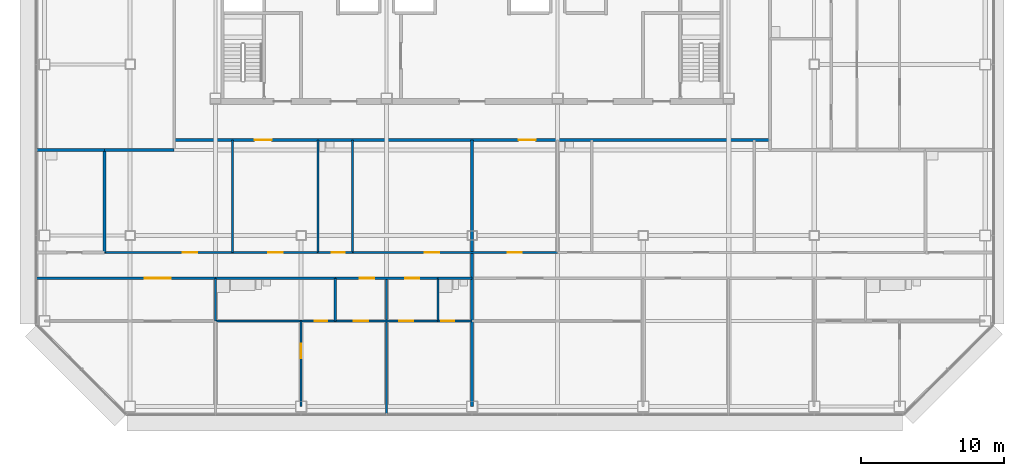
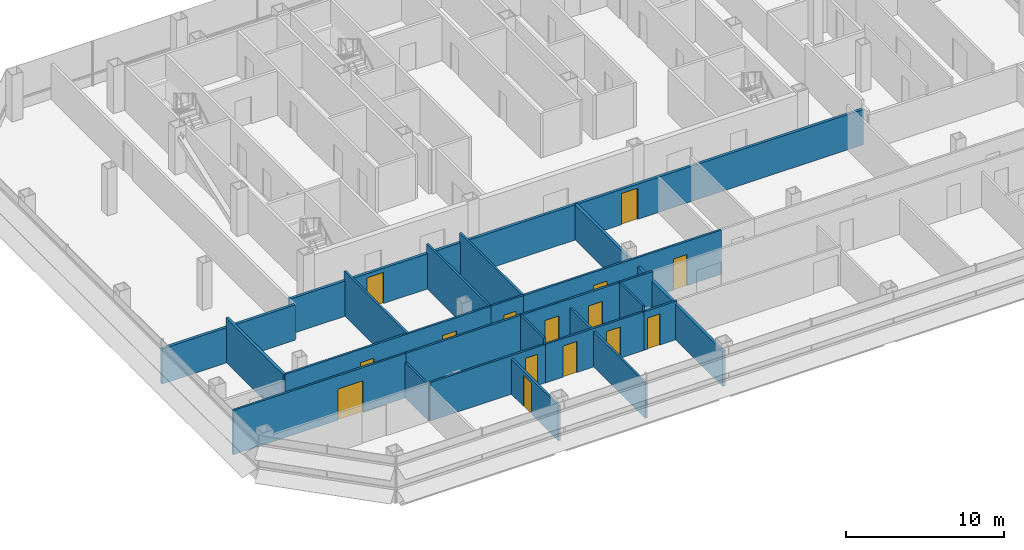
# One storey, part 19 of 25: 23 walls, 15 doors, 15 openings.
"""IFC4 building model written with IfcOpenShell, lengths in metres."""

from ifc_helpers import new_model, si_unit, direction, frame, frame_2d, origin, place, context, subcontext, project, spatial, rectangle, extrude, material, layer, layer_set, type_object, element, fill, save


model = new_model("IFC4")

# Units and contexts
model_context = context("Model", 3, precision=1e-05, world=origin(), true_north=direction((0.0, 1.0)))
body_context = subcontext(model_context, "Body", "Model", "MODEL_VIEW")
ifc_project = project(units=[si_unit("LENGTHUNIT", "METRE"), si_unit("AREAUNIT", "SQUARE_METRE"), si_unit("VOLUMEUNIT", "CUBIC_METRE"), si_unit("PLANEANGLEUNIT", "RADIAN"), si_unit("MASSUNIT", "GRAM", prefix="KILO")], contexts=[model_context])

# Site, building, storey
site_placement = place(None, origin())
site = spatial("IfcSite", under=ifc_project, at=site_placement, CompositionType="ELEMENT")
building_placement = place(site_placement, origin())
building = spatial("IfcBuilding", under=site, at=building_placement, Name="Sorahane Residences", CompositionType="ELEMENT")
storey_placement = place(building_placement, frame((0.0, 0.0, 143.800048828125)))
storey = spatial("IfcBuildingStorey", under=building, at=storey_placement, Name="L32", CompositionType="ELEMENT", Elevation=143.800048828125)

# Wall
ifc_material_1 = material(Name="Concrete blockwork C20 wall", Category="masonry")
ifc_layer_1 = layer(ifc_material_1, 0.199951171875)
ifc_layer_set_1 = layer_set([ifc_layer_1], Name="Corridor wall 200 EI 120")
wall_type_1 = type_object("IfcWallType", Name="Corridor wall 200 EI 120", PredefinedType="SOLIDWALL", material=ifc_layer_set_1)
wall_1_placement = place(storey_placement, frame((-1.800048828125, 18.0, 0.0), z_axis=(0.0, 0.0, 1.0), x_axis=(1.0, 0.0, 0.0)))
element("IfcWall", 1, at=wall_1_placement, inside=storey, type_object=wall_type_1, Name="L32 corridor wall", PredefinedType="SOLIDWALL", context=body_context, shape_type="SweptSolid", body=[
    extrude(rectangle(XDim=4.900146484375, YDim=0.199951171875, at=frame_2d((2.4501953125, 0.0))), origin(), (0.0, 0.0, 1.0), 2.719970703125),
])

# Wall, openings, doors
wall_2_placement = place(storey_placement, frame((3.10009765625, 18.699951171875, 0.0), z_axis=(0.0, 0.0, 1.0), x_axis=(1.0, 0.0, 0.0)))
wall_2 = element("IfcWall", 2, at=wall_2_placement, inside=storey, type_object=wall_type_1, Name="L32 corridor wall", PredefinedType="SOLIDWALL", context=body_context, shape_type="SweptSolid", body=[
    extrude(rectangle(XDim=41.7998046875, YDim=0.199951171875, at=frame_2d((20.89990234375, 0.0))), origin(), (0.0, 0.0, 1.0), 2.719970703125),
])
opening_1_placement = place(wall_2_placement, frame((5.639892578125, 0.0, 0.0)))
opening_1 = element("IfcOpeningElement", 3, at=opening_1_placement, cuts=wall_2, Name="Opening L32-42", PredefinedType="OPENING", context=body_context, shape_type="SweptSolid", body=[
    extrude(rectangle(XDim=1.199951171875, YDim=2.39990234375, at=frame_2d((0.60009765625, 1.199951171875))), frame((0.0, 0.10986328125, 0.0), z_axis=(0.0, -1.0, 0.0), x_axis=(1.0, 0.0, 0.0)), (0.0, 0.0, 1.0), 0.219970703125),
])
opening_2_placement = place(wall_2_placement, frame((24.159912109375, 0.0, 0.0)))
opening_2 = element("IfcOpeningElement", 4, at=opening_2_placement, cuts=wall_2, Name="Opening L32-43", PredefinedType="OPENING", context=body_context, shape_type="SweptSolid", body=[
    extrude(rectangle(XDim=1.199951171875, YDim=2.39990234375, at=frame_2d((0.60009765625, 1.199951171875))), frame((0.0, 0.10986328125, 0.0), z_axis=(0.0, -1.0, 0.0), x_axis=(1.0, 0.0, 0.0)), (0.0, 0.0, 1.0), 0.219970703125),
])
ifc_material_2 = material(Name="Timber veneered fire door", Category="wood")
door_type_1 = type_object("IfcDoorType", Name="Flat entrance door 1200x2400 FD60", OperationType="NOTDEFINED", PredefinedType="DOOR", material=ifc_material_2)
door_1_placement = place(opening_1_placement, frame((1.199951171875, 0.0, 0.0), z_axis=(0.0, 0.0, 1.0), x_axis=(-1.0, 0.0, 0.0)))
door_1 = element("IfcDoor", 5, at=door_1_placement, inside=storey, type_object=door_type_1, Name="Flat entrance door L32-42", OperationType="SINGLE_SWING_LEFT", OverallHeight=2.39990234375, OverallWidth=1.199951171875, PredefinedType="DOOR", context=body_context, shape_type="SweptSolid", body=[
    extrude(rectangle(XDim=1.199951171875, YDim=2.39990234375, at=frame_2d((0.60009765625, 1.199951171875))), frame((0.0, 0.02490234375, 0.0), z_axis=(0.0, -1.0, 0.0), x_axis=(1.0, 0.0, 0.0)), (0.0, 0.0, 1.0), 0.050048828125),
])
fill(opening_1, door_1)
door_2_placement = place(opening_2_placement, frame((1.199951171875, 0.0, 0.0), z_axis=(0.0, 0.0, 1.0), x_axis=(-1.0, 0.0, 0.0)))
door_2 = element("IfcDoor", 6, at=door_2_placement, inside=storey, type_object=door_type_1, Name="Flat entrance door L32-43", OperationType="SINGLE_SWING_RIGHT", OverallHeight=2.39990234375, OverallWidth=1.199951171875, PredefinedType="DOOR", context=body_context, shape_type="SweptSolid", body=[
    extrude(rectangle(XDim=1.199951171875, YDim=2.39990234375, at=frame_2d((0.60009765625, 1.199951171875))), frame((0.0, 0.02490234375, 0.0), z_axis=(0.0, -1.0, 0.0), x_axis=(1.0, 0.0, 0.0)), (0.0, 0.0, 1.0), 0.050048828125),
])
fill(opening_2, door_2)

# Walls
ifc_material_3 = material(Name="Concrete blockwork C20 wall", Category="masonry")
ifc_layer_2 = layer(ifc_material_3, 0.199951171875)
ifc_layer_set_2 = layer_set([ifc_layer_2], Name="Kitchen wall 200 EI 180")
wall_type_2 = type_object("IfcWallType", Name="Kitchen wall 200 EI 180", PredefinedType="SOLIDWALL", material=ifc_layer_set_2)
wall_3_placement = place(storey_placement, frame((-1.800048828125, 10.800048828125, 0.0), z_axis=(0.0, 0.0, 1.0), x_axis=(0.0, 1.0, 0.0)))
element("IfcWall", 7, at=wall_3_placement, inside=storey, type_object=wall_type_2, Name="L32 kitchen wall", PredefinedType="SOLIDWALL", context=body_context, shape_type="SweptSolid", body=[
    extrude(rectangle(XDim=7.199951171875, YDim=0.199951171875, at=frame_2d((3.60009765625, 0.0))), origin(), (0.0, 0.0, 1.0), 3.419921875),
])
wall_4_placement = place(storey_placement, frame((-6.60009765625, 18.0, 0.0), z_axis=(0.0, 0.0, 1.0), x_axis=(1.0, 0.0, 0.0)))
element("IfcWall", 8, at=wall_4_placement, inside=storey, type_object=wall_type_2, Name="L32 kitchen wall", PredefinedType="SOLIDWALL", context=body_context, shape_type="SweptSolid", body=[
    extrude(rectangle(XDim=4.800048828125, YDim=0.199951171875, at=frame_2d((2.39990234375, 0.0))), origin(), (0.0, 0.0, 1.0), 2.719970703125),
])

# Wall, opening, door
ifc_material_4 = material(Name="Gypsum board partition on steel studs", Category="steel")
ifc_layer_3 = layer(ifc_material_4, 0.14990234375)
ifc_layer_set_3 = layer_set([ifc_layer_3], Name="Partition 150 EI 90")
wall_type_3 = type_object("IfcWallType", Name="Partition 150 EI 90", PredefinedType="PARTITIONING", material=ifc_layer_set_3)
wall_5_placement = place(storey_placement, frame((12.0, 0.0, 0.0), z_axis=(0.0, 0.0, 1.0), x_axis=(0.0, 1.0, 0.0)))
wall_5 = element("IfcWall", 9, at=wall_5_placement, inside=storey, type_object=wall_type_3, Name="L32 partition", PredefinedType="PARTITIONING", context=body_context, shape_type="SweptSolid", body=[
    extrude(rectangle(XDim=6.0, YDim=0.14990234375, at=frame_2d((3.0, 0.0))), origin(), (0.0, 0.0, 1.0), 2.719970703125),
])
opening_3_placement = place(wall_5_placement, frame((3.39990234375, 0.0, 0.0)))
opening_3 = element("IfcOpeningElement", 10, at=opening_3_placement, cuts=wall_5, Name="Opening L32-11", PredefinedType="OPENING", context=body_context, shape_type="SweptSolid", body=[
    extrude(rectangle(XDim=1.0, YDim=2.39990234375, at=frame_2d((0.5, 1.199951171875))), frame((0.0, 0.0849609375, 0.0), z_axis=(0.0, -1.0, 0.0), x_axis=(1.0, 0.0, 0.0)), (0.0, 0.0, 1.0), 0.169921875),
])
ifc_material_5 = material(Name="Timber veneered fire door", Category="wood")
door_type_2 = type_object("IfcDoorType", Name="Room door 1000x2400 FD30", OperationType="NOTDEFINED", PredefinedType="DOOR", material=ifc_material_5)
door_3_placement = place(opening_3_placement, origin())
door_3 = element("IfcDoor", 11, at=door_3_placement, inside=storey, type_object=door_type_2, Name="Room door L32-11", OperationType="SINGLE_SWING_RIGHT", OverallHeight=2.39990234375, OverallWidth=1.0, PredefinedType="DOOR", context=body_context, shape_type="SweptSolid", body=[
    extrude(rectangle(XDim=1.0, YDim=2.39990234375, at=frame_2d((0.5, 1.199951171875))), frame((0.0, 0.02490234375, 0.0), z_axis=(0.0, -1.0, 0.0), x_axis=(1.0, 0.0, 0.0)), (0.0, 0.0, 1.0), 0.050048828125),
])
fill(opening_3, door_3)

# Walls
wall_6_placement = place(storey_placement, frame((18.0, -0.60009765625, 0.0), z_axis=(0.0, 0.0, 1.0), x_axis=(0.0, 1.0, 0.0)))
element("IfcWall", 12, at=wall_6_placement, inside=storey, type_object=wall_type_3, Name="L32 partition", PredefinedType="PARTITIONING", context=body_context, shape_type="SweptSolid", body=[
    extrude(rectangle(XDim=9.60009765625, YDim=0.14990234375, at=frame_2d((4.800048828125, 0.0))), origin(), (0.0, 0.0, 1.0), 2.719970703125),
])
wall_7_placement = place(storey_placement, frame((7.199951171875, 10.800048828125, 0.0), z_axis=(0.0, 0.0, 1.0), x_axis=(0.0, 1.0, 0.0)))
element("IfcWall", 13, at=wall_7_placement, inside=storey, type_object=wall_type_3, Name="L32 partition", PredefinedType="PARTITIONING", context=body_context, shape_type="SweptSolid", body=[
    extrude(rectangle(XDim=7.89990234375, YDim=0.14990234375, at=frame_2d((3.949951171875, 0.0))), origin(), (0.0, 0.0, 1.0), 3.419921875),
])

# Wall, openings, doors
wall_8_placement = place(storey_placement, frame((-1.800048828125, 10.800048828125, 0.0), z_axis=(0.0, 0.0, 1.0), x_axis=(1.0, 0.0, 0.0)))
wall_8 = element("IfcWall", 14, at=wall_8_placement, inside=storey, type_object=wall_type_3, Name="L32 partition", PredefinedType="PARTITIONING", context=body_context, shape_type="SweptSolid", body=[
    extrude(rectangle(XDim=15.0, YDim=0.14990234375, at=frame_2d((7.5, 0.0))), origin(), (0.0, 0.0, 1.0), 3.419921875),
])
opening_4_placement = place(wall_8_placement, frame((11.5, 0.0, 0.0)))
opening_4 = element("IfcOpeningElement", 15, at=opening_4_placement, cuts=wall_8, Name="Opening L32-01", PredefinedType="OPENING", context=body_context, shape_type="SweptSolid", body=[
    extrude(rectangle(XDim=1.0, YDim=2.39990234375, at=frame_2d((0.5, 1.199951171875))), frame((0.0, 0.0849609375, 0.0), z_axis=(0.0, -1.0, 0.0), x_axis=(1.0, 0.0, 0.0)), (0.0, 0.0, 1.0), 0.169921875),
])
opening_5_placement = place(wall_8_placement, frame((5.5, 0.0, 0.0)))
opening_5 = element("IfcOpeningElement", 16, at=opening_5_placement, cuts=wall_8, Name="Opening L32-03", PredefinedType="OPENING", context=body_context, shape_type="SweptSolid", body=[
    extrude(rectangle(XDim=1.0, YDim=2.39990234375, at=frame_2d((0.5, 1.199951171875))), frame((0.0, 0.0849609375, 0.0), z_axis=(0.0, -1.0, 0.0), x_axis=(1.0, 0.0, 0.0)), (0.0, 0.0, 1.0), 0.169921875),
])
door_4_placement = place(opening_4_placement, frame((1.0, 0.0, 0.0), z_axis=(0.0, 0.0, 1.0), x_axis=(-1.0, 0.0, 0.0)))
door_4 = element("IfcDoor", 17, at=door_4_placement, inside=storey, type_object=door_type_2, Name="Room door L32-01", OperationType="SINGLE_SWING_LEFT", OverallHeight=2.39990234375, OverallWidth=1.0, PredefinedType="DOOR", context=body_context, shape_type="SweptSolid", body=[
    extrude(rectangle(XDim=1.0, YDim=2.39990234375, at=frame_2d((0.5, 1.199951171875))), frame((0.0, 0.02490234375, 0.0), z_axis=(0.0, -1.0, 0.0), x_axis=(1.0, 0.0, 0.0)), (0.0, 0.0, 1.0), 0.050048828125),
])
fill(opening_4, door_4)
door_5_placement = place(opening_5_placement, origin())
door_5 = element("IfcDoor", 18, at=door_5_placement, inside=storey, type_object=door_type_2, Name="Room door L32-03", OperationType="SINGLE_SWING_RIGHT", OverallHeight=2.39990234375, OverallWidth=1.0, PredefinedType="DOOR", context=body_context, shape_type="SweptSolid", body=[
    extrude(rectangle(XDim=1.0, YDim=2.39990234375, at=frame_2d((0.5, 1.199951171875))), frame((0.0, 0.02490234375, 0.0), z_axis=(0.0, -1.0, 0.0), x_axis=(1.0, 0.0, 0.0)), (0.0, 0.0, 1.0), 0.050048828125),
])
fill(opening_5, door_5)

wall_9_placement = place(storey_placement, frame((15.60009765625, 10.800048828125, 0.0), z_axis=(0.0, 0.0, 1.0), x_axis=(1.0, 0.0, 0.0)))
wall_9 = element("IfcWall", 19, at=wall_9_placement, inside=storey, type_object=wall_type_3, Name="L32 partition", PredefinedType="PARTITIONING", context=body_context, shape_type="SweptSolid", body=[
    extrude(rectangle(XDim=14.39990234375, YDim=0.14990234375, at=frame_2d((7.199951171875, 0.0))), origin(), (0.0, 0.0, 1.0), 3.419921875),
])
opening_6_placement = place(wall_9_placement, frame((5.080078125, 0.0, 0.0)))
opening_6 = element("IfcOpeningElement", 20, at=opening_6_placement, cuts=wall_9, Name="Opening L32-05", PredefinedType="OPENING", context=body_context, shape_type="SweptSolid", body=[
    extrude(rectangle(XDim=1.0, YDim=2.39990234375, at=frame_2d((0.5, 1.199951171875))), frame((0.0, 0.0849609375, 0.0), z_axis=(0.0, -1.0, 0.0), x_axis=(1.0, 0.0, 0.0)), (0.0, 0.0, 1.0), 0.169921875),
])
opening_7_placement = place(wall_9_placement, frame((10.89990234375, 0.0, 0.0)))
opening_7 = element("IfcOpeningElement", 21, at=opening_7_placement, cuts=wall_9, Name="Opening L32-15", PredefinedType="OPENING", context=body_context, shape_type="SweptSolid", body=[
    extrude(rectangle(XDim=1.0, YDim=2.39990234375, at=frame_2d((0.5, 1.199951171875))), frame((0.0, 0.0849609375, 0.0), z_axis=(0.0, -1.0, 0.0), x_axis=(1.0, 0.0, 0.0)), (0.0, 0.0, 1.0), 0.169921875),
])
door_6_placement = place(opening_6_placement, origin())
door_6 = element("IfcDoor", 22, at=door_6_placement, inside=storey, type_object=door_type_2, Name="Room door L32-05", OperationType="SINGLE_SWING_LEFT", OverallHeight=2.39990234375, OverallWidth=1.0, PredefinedType="DOOR", context=body_context, shape_type="SweptSolid", body=[
    extrude(rectangle(XDim=1.0, YDim=2.39990234375, at=frame_2d((0.5, 1.199951171875))), frame((0.0, 0.02490234375, 0.0), z_axis=(0.0, -1.0, 0.0), x_axis=(1.0, 0.0, 0.0)), (0.0, 0.0, 1.0), 0.050048828125),
])
fill(opening_6, door_6)
door_7_placement = place(opening_7_placement, frame((1.0, 0.0, 0.0), z_axis=(0.0, 0.0, 1.0), x_axis=(-1.0, 0.0, 0.0)))
door_7 = element("IfcDoor", 23, at=door_7_placement, inside=storey, type_object=door_type_2, Name="Room door L32-15", OperationType="SINGLE_SWING_RIGHT", OverallHeight=2.39990234375, OverallWidth=1.0, PredefinedType="DOOR", context=body_context, shape_type="SweptSolid", body=[
    extrude(rectangle(XDim=1.0, YDim=2.39990234375, at=frame_2d((0.5, 1.199951171875))), frame((0.0, 0.02490234375, 0.0), z_axis=(0.0, -1.0, 0.0), x_axis=(1.0, 0.0, 0.0)), (0.0, 0.0, 1.0), 0.050048828125),
])
fill(opening_7, door_7)

wall_10_placement = place(storey_placement, frame((14.39990234375, 6.0, 0.0), z_axis=(0.0, 0.0, 1.0), x_axis=(1.0, 0.0, 0.0)))
wall_10 = element("IfcWall", 24, at=wall_10_placement, inside=storey, type_object=wall_type_3, Name="L32 partition", PredefinedType="PARTITIONING", context=body_context, shape_type="SweptSolid", body=[
    extrude(rectangle(XDim=7.2001953125, YDim=0.14990234375, at=frame_2d((3.60009765625, 0.0))), origin(), (0.0, 0.0, 1.0), 2.969970703125),
])
opening_8_placement = place(wall_10_placement, frame((1.300048828125, 0.0, 0.0)))
opening_8 = element("IfcOpeningElement", 25, at=opening_8_placement, cuts=wall_10, Name="Opening L32-10", PredefinedType="OPENING", context=body_context, shape_type="SweptSolid", body=[
    extrude(rectangle(XDim=1.0, YDim=2.39990234375, at=frame_2d((0.5, 1.199951171875))), frame((0.0, 0.0849609375, 0.0), z_axis=(0.0, -1.0, 0.0), x_axis=(1.0, 0.0, 0.0)), (0.0, 0.0, 1.0), 0.169921875),
])
opening_9_placement = place(wall_10_placement, frame((4.47998046875, 0.0, 0.0)))
opening_9 = element("IfcOpeningElement", 26, at=opening_9_placement, cuts=wall_10, Name="Opening L32-13", PredefinedType="OPENING", context=body_context, shape_type="SweptSolid", body=[
    extrude(rectangle(XDim=1.0, YDim=2.39990234375, at=frame_2d((0.5, 1.199951171875))), frame((0.0, 0.0849609375, 0.0), z_axis=(0.0, -1.0, 0.0), x_axis=(1.0, 0.0, 0.0)), (0.0, 0.0, 1.0), 0.169921875),
])
door_8_placement = place(opening_8_placement, frame((1.0, 0.0, 0.0), z_axis=(0.0, 0.0, 1.0), x_axis=(-1.0, 0.0, 0.0)))
door_8 = element("IfcDoor", 27, at=door_8_placement, inside=storey, type_object=door_type_2, Name="Room door L32-10", OperationType="SINGLE_SWING_RIGHT", OverallHeight=2.39990234375, OverallWidth=1.0, PredefinedType="DOOR", context=body_context, shape_type="SweptSolid", body=[
    extrude(rectangle(XDim=1.0, YDim=2.39990234375, at=frame_2d((0.5, 1.199951171875))), frame((0.0, 0.02490234375, 0.0), z_axis=(0.0, -1.0, 0.0), x_axis=(1.0, 0.0, 0.0)), (0.0, 0.0, 1.0), 0.050048828125),
])
fill(opening_8, door_8)
door_9_placement = place(opening_9_placement, frame((1.0, 0.0, 0.0), z_axis=(0.0, 0.0, 1.0), x_axis=(-1.0, 0.0, 0.0)))
door_9 = element("IfcDoor", 28, at=door_9_placement, inside=storey, type_object=door_type_2, Name="Room door L32-13", OperationType="SINGLE_SWING_RIGHT", OverallHeight=2.39990234375, OverallWidth=1.0, PredefinedType="DOOR", context=body_context, shape_type="SweptSolid", body=[
    extrude(rectangle(XDim=1.0, YDim=2.39990234375, at=frame_2d((0.5, 1.199951171875))), frame((0.0, 0.02490234375, 0.0), z_axis=(0.0, -1.0, 0.0), x_axis=(1.0, 0.0, 0.0)), (0.0, 0.0, 1.0), 0.050048828125),
])
fill(opening_9, door_9)

# Wall, opening, door
wall_11_placement = place(storey_placement, frame((-6.60009765625, 9.0, 0.0), z_axis=(0.0, 0.0, 1.0), x_axis=(1.0, 0.0, 0.0)))
wall_11 = element("IfcWall", 29, at=wall_11_placement, inside=storey, type_object=wall_type_3, Name="L32 partition", PredefinedType="PARTITIONING", context=body_context, shape_type="SweptSolid", body=[
    extrude(rectangle(XDim=12.60009765625, YDim=0.14990234375, at=frame_2d((6.300048828125, 0.0))), origin(), (0.0, 0.0, 1.0), 3.419921875),
])
opening_10_placement = place(wall_11_placement, frame((7.639892578125, 0.0, 0.0)))
opening_10 = element("IfcOpeningElement", 30, at=opening_10_placement, cuts=wall_11, Name="Opening L32-06", PredefinedType="OPENING", context=body_context, shape_type="SweptSolid", body=[
    extrude(rectangle(XDim=1.800048828125, YDim=2.39990234375, at=frame_2d((0.89990234375, 1.199951171875))), frame((0.0, 0.0849609375, 0.0), z_axis=(0.0, -1.0, 0.0), x_axis=(1.0, 0.0, 0.0)), (0.0, 0.0, 1.0), 0.169921875),
])
ifc_material_6 = material(Name="Timber veneered fire door", Category="wood")
door_type_3 = type_object("IfcDoorType", Name="Double door 1800x2400 FD30", OperationType="NOTDEFINED", PredefinedType="DOOR", material=ifc_material_6)
door_10_placement = place(opening_10_placement, frame((1.800048828125, 0.0, 0.0), z_axis=(0.0, 0.0, 1.0), x_axis=(-1.0, 0.0, 0.0)))
door_10 = element("IfcDoor", 31, at=door_10_placement, inside=storey, type_object=door_type_3, Name="Double door L32-06", OperationType="SINGLE_SWING_RIGHT", OverallHeight=2.39990234375, OverallWidth=1.800048828125, PredefinedType="DOOR", context=body_context, shape_type="SweptSolid", body=[
    extrude(rectangle(XDim=1.800048828125, YDim=2.39990234375, at=frame_2d((0.89990234375, 1.199951171875))), frame((0.0, 0.02490234375, 0.0), z_axis=(0.0, -1.0, 0.0), x_axis=(1.0, 0.0, 0.0)), (0.0, 0.0, 1.0), 0.050048828125),
])
fill(opening_10, door_10)

# Wall, openings, doors
wall_12_placement = place(storey_placement, frame((14.39990234375, 9.0, 0.0), z_axis=(0.0, 0.0, 1.0), x_axis=(1.0, 0.0, 0.0)))
wall_12 = element("IfcWall", 32, at=wall_12_placement, inside=storey, type_object=wall_type_3, Name="L32 partition", PredefinedType="PARTITIONING", context=body_context, shape_type="SweptSolid", body=[
    extrude(rectangle(XDim=7.2001953125, YDim=0.14990234375, at=frame_2d((3.60009765625, 0.0))), origin(), (0.0, 0.0, 1.0), 3.419921875),
])
opening_11_placement = place(wall_12_placement, frame((1.719970703125, 0.0, 0.0)))
opening_11 = element("IfcOpeningElement", 33, at=opening_11_placement, cuts=wall_12, Name="Opening L32-07", PredefinedType="OPENING", context=body_context, shape_type="SweptSolid", body=[
    extrude(rectangle(XDim=1.0, YDim=2.39990234375, at=frame_2d((0.5, 1.199951171875))), frame((0.0, 0.0849609375, 0.0), z_axis=(0.0, -1.0, 0.0), x_axis=(1.0, 0.0, 0.0)), (0.0, 0.0, 1.0), 0.169921875),
])
opening_12_placement = place(wall_12_placement, frame((4.89990234375, 0.0, 0.0)))
opening_12 = element("IfcOpeningElement", 34, at=opening_12_placement, cuts=wall_12, Name="Opening L32-08", PredefinedType="OPENING", context=body_context, shape_type="SweptSolid", body=[
    extrude(rectangle(XDim=1.0, YDim=2.39990234375, at=frame_2d((0.5, 1.199951171875))), frame((0.0, 0.0849609375, 0.0), z_axis=(0.0, -1.0, 0.0), x_axis=(1.0, 0.0, 0.0)), (0.0, 0.0, 1.0), 0.169921875),
])
door_11_placement = place(opening_11_placement, frame((1.0, 0.0, 0.0), z_axis=(0.0, 0.0, 1.0), x_axis=(-1.0, 0.0, 0.0)))
door_11 = element("IfcDoor", 35, at=door_11_placement, inside=storey, type_object=door_type_2, Name="Room door L32-07", OperationType="SINGLE_SWING_RIGHT", OverallHeight=2.39990234375, OverallWidth=1.0, PredefinedType="DOOR", context=body_context, shape_type="SweptSolid", body=[
    extrude(rectangle(XDim=1.0, YDim=2.39990234375, at=frame_2d((0.5, 1.199951171875))), frame((0.0, 0.02490234375, 0.0), z_axis=(0.0, -1.0, 0.0), x_axis=(1.0, 0.0, 0.0)), (0.0, 0.0, 1.0), 0.050048828125),
])
fill(opening_11, door_11)
door_12_placement = place(opening_12_placement, frame((1.0, 0.0, 0.0), z_axis=(0.0, 0.0, 1.0), x_axis=(-1.0, 0.0, 0.0)))
door_12 = element("IfcDoor", 36, at=door_12_placement, inside=storey, type_object=door_type_2, Name="Room door L32-08", OperationType="SINGLE_SWING_RIGHT", OverallHeight=2.39990234375, OverallWidth=1.0, PredefinedType="DOOR", context=body_context, shape_type="SweptSolid", body=[
    extrude(rectangle(XDim=1.0, YDim=2.39990234375, at=frame_2d((0.5, 1.199951171875))), frame((0.0, 0.02490234375, 0.0), z_axis=(0.0, -1.0, 0.0), x_axis=(1.0, 0.0, 0.0)), (0.0, 0.0, 1.0), 0.050048828125),
])
fill(opening_12, door_12)

# Walls
ifc_material_7 = material(Name="Concrete blockwork C20 wall", Category="masonry")
ifc_layer_4 = layer(ifc_material_7, 0.199951171875)
ifc_layer_set_4 = layer_set([ifc_layer_4], Name="Party wall 200 EI 120")
wall_type_4 = type_object("IfcWallType", Name="Party wall 200 EI 120", PredefinedType="SOLIDWALL", material=ifc_layer_set_4)
wall_13_placement = place(storey_placement, frame((24.0, 0.0, 0.0), z_axis=(0.0, 0.0, 1.0), x_axis=(0.0, 1.0, 0.0)))
element("IfcWall", 37, at=wall_13_placement, inside=storey, type_object=wall_type_4, Name="L32 party wall", PredefinedType="SOLIDWALL", context=body_context, shape_type="SweptSolid", body=[
    extrude(rectangle(XDim=18.699951171875, YDim=0.199951171875, at=frame_2d((9.35009765625, 0.0))), origin(), (0.0, 0.0, 1.0), 2.719970703125),
])
ifc_material_8 = material(Name="Gypsum board partition on steel studs", Category="steel")
ifc_layer_5 = layer(ifc_material_8, 0.14990234375)
ifc_layer_set_5 = layer_set([ifc_layer_5], Name="Wet wall 150 EI 90")
wall_type_5 = type_object("IfcWallType", Name="Wet wall 150 EI 90", PredefinedType="PARTITIONING", material=ifc_layer_set_5)
wall_14_placement = place(storey_placement, frame((13.199951171875, 10.800048828125, 0.0), z_axis=(0.0, 0.0, 1.0), x_axis=(0.0, 1.0, 0.0)))
element("IfcWall", 38, at=wall_14_placement, inside=storey, type_object=wall_type_5, Name="L32 wet wall", PredefinedType="PARTITIONING", context=body_context, shape_type="SweptSolid", body=[
    extrude(rectangle(XDim=7.89990234375, YDim=0.14990234375, at=frame_2d((3.949951171875, 0.0))), origin(), (0.0, 0.0, 1.0), 3.419921875),
])
wall_15_placement = place(storey_placement, frame((14.39990234375, 6.0, 0.0), z_axis=(0.0, 0.0, 1.0), x_axis=(0.0, 1.0, 0.0)))
element("IfcWall", 39, at=wall_15_placement, inside=storey, type_object=wall_type_5, Name="L32 wet wall", PredefinedType="PARTITIONING", context=body_context, shape_type="SweptSolid", body=[
    extrude(rectangle(XDim=3.0, YDim=0.14990234375, at=frame_2d((1.5, 0.0))), origin(), (0.0, 0.0, 1.0), 3.419921875),
])
wall_16_placement = place(storey_placement, frame((15.60009765625, 10.800048828125, 0.0), z_axis=(0.0, 0.0, 1.0), x_axis=(0.0, 1.0, 0.0)))
element("IfcWall", 40, at=wall_16_placement, inside=storey, type_object=wall_type_5, Name="L32 wet wall", PredefinedType="PARTITIONING", context=body_context, shape_type="SweptSolid", body=[
    extrude(rectangle(XDim=7.89990234375, YDim=0.14990234375, at=frame_2d((3.949951171875, 0.0))), origin(), (0.0, 0.0, 1.0), 3.419921875),
])
wall_17_placement = place(storey_placement, frame((21.60009765625, 6.0, 0.0), z_axis=(0.0, 0.0, 1.0), x_axis=(0.0, 1.0, 0.0)))
element("IfcWall", 41, at=wall_17_placement, inside=storey, type_object=wall_type_5, Name="L32 wet wall", PredefinedType="PARTITIONING", context=body_context, shape_type="SweptSolid", body=[
    extrude(rectangle(XDim=3.0, YDim=0.14990234375, at=frame_2d((1.5, 0.0))), origin(), (0.0, 0.0, 1.0), 3.419921875),
])
wall_18_placement = place(storey_placement, frame((6.0, 6.0, 0.0), z_axis=(0.0, 0.0, 1.0), x_axis=(0.0, 1.0, 0.0)))
element("IfcWall", 42, at=wall_18_placement, inside=storey, type_object=wall_type_5, Name="L32 wet wall", PredefinedType="PARTITIONING", context=body_context, shape_type="SweptSolid", body=[
    extrude(rectangle(XDim=3.0, YDim=0.14990234375, at=frame_2d((1.5, 0.0))), origin(), (0.0, 0.0, 1.0), 2.719970703125),
])

# Wall, opening, door
wall_19_placement = place(storey_placement, frame((13.199951171875, 10.800048828125, 0.0), z_axis=(0.0, 0.0, 1.0), x_axis=(1.0, 0.0, 0.0)))
wall_19 = element("IfcWall", 43, at=wall_19_placement, inside=storey, type_object=wall_type_5, Name="L32 wet wall", PredefinedType="PARTITIONING", context=body_context, shape_type="SweptSolid", body=[
    extrude(rectangle(XDim=2.400146484375, YDim=0.14990234375, at=frame_2d((1.2001953125, 0.0))), origin(), (0.0, 0.0, 1.0), 3.419921875),
])
opening_13_placement = place(wall_19_placement, frame((0.949951171875, 0.0, 0.0)))
opening_13 = element("IfcOpeningElement", 44, at=opening_13_placement, cuts=wall_19, Name="Opening L32-04", PredefinedType="OPENING", context=body_context, shape_type="SweptSolid", body=[
    extrude(rectangle(XDim=0.89990234375, YDim=2.39990234375, at=frame_2d((0.449951171875, 1.199951171875))), frame((0.0, 0.0849609375, 0.0), z_axis=(0.0, -1.0, 0.0), x_axis=(1.0, 0.0, 0.0)), (0.0, 0.0, 1.0), 0.169921875),
])
ifc_material_9 = material(Name="Timber veneered fire door", Category="wood")
door_type_4 = type_object("IfcDoorType", Name="Bathroom door 900x2400 FD30", OperationType="NOTDEFINED", PredefinedType="DOOR", material=ifc_material_9)
door_13_placement = place(opening_13_placement, frame((0.89990234375, 0.0, 0.0), z_axis=(0.0, 0.0, 1.0), x_axis=(-1.0, 0.0, 0.0)))
door_13 = element("IfcDoor", 45, at=door_13_placement, inside=storey, type_object=door_type_4, Name="Bathroom door L32-04", OperationType="SINGLE_SWING_RIGHT", OverallHeight=2.39990234375, OverallWidth=0.89990234375, PredefinedType="DOOR", context=body_context, shape_type="SweptSolid", body=[
    extrude(rectangle(XDim=0.89990234375, YDim=2.39990234375, at=frame_2d((0.449951171875, 1.199951171875))), frame((0.0, 0.02490234375, 0.0), z_axis=(0.0, -1.0, 0.0), x_axis=(1.0, 0.0, 0.0)), (0.0, 0.0, 1.0), 0.050048828125),
])
fill(opening_13, door_13)

wall_20_placement = place(storey_placement, frame((6.0, 6.0, 0.0), z_axis=(0.0, 0.0, 1.0), x_axis=(1.0, 0.0, 0.0)))
wall_20 = element("IfcWall", 46, at=wall_20_placement, inside=storey, type_object=wall_type_5, Name="L32 wet wall", PredefinedType="PARTITIONING", context=body_context, shape_type="SweptSolid", body=[
    extrude(rectangle(XDim=8.39990234375, YDim=0.14990234375, at=frame_2d((4.199951171875, 0.0))), origin(), (0.0, 0.0, 1.0), 2.969970703125),
])
opening_14_placement = place(wall_20_placement, frame((6.949951171875, 0.0, 0.0)))
opening_14 = element("IfcOpeningElement", 47, at=opening_14_placement, cuts=wall_20, Name="Opening L32-12", PredefinedType="OPENING", context=body_context, shape_type="SweptSolid", body=[
    extrude(rectangle(XDim=0.89990234375, YDim=2.39990234375, at=frame_2d((0.449951171875, 1.199951171875))), frame((0.0, 0.0849609375, 0.0), z_axis=(0.0, -1.0, 0.0), x_axis=(1.0, 0.0, 0.0)), (0.0, 0.0, 1.0), 0.169921875),
])
door_14_placement = place(opening_14_placement, frame((0.89990234375, 0.0, 0.0), z_axis=(0.0, 0.0, 1.0), x_axis=(-1.0, 0.0, 0.0)))
door_14 = element("IfcDoor", 48, at=door_14_placement, inside=storey, type_object=door_type_4, Name="Bathroom door L32-12", OperationType="SINGLE_SWING_LEFT", OverallHeight=2.39990234375, OverallWidth=0.89990234375, PredefinedType="DOOR", context=body_context, shape_type="SweptSolid", body=[
    extrude(rectangle(XDim=0.89990234375, YDim=2.39990234375, at=frame_2d((0.449951171875, 1.199951171875))), frame((0.0, 0.02490234375, 0.0), z_axis=(0.0, -1.0, 0.0), x_axis=(1.0, 0.0, 0.0)), (0.0, 0.0, 1.0), 0.050048828125),
])
fill(opening_14, door_14)

wall_21_placement = place(storey_placement, frame((21.60009765625, 6.0, 0.0), z_axis=(0.0, 0.0, 1.0), x_axis=(1.0, 0.0, 0.0)))
wall_21 = element("IfcWall", 49, at=wall_21_placement, inside=storey, type_object=wall_type_5, Name="L32 wet wall", PredefinedType="PARTITIONING", context=body_context, shape_type="SweptSolid", body=[
    extrude(rectangle(XDim=2.39990234375, YDim=0.14990234375, at=frame_2d((1.199951171875, 0.0))), origin(), (0.0, 0.0, 1.0), 2.969970703125),
])
opening_15_placement = place(wall_21_placement, frame((0.25, 0.0, 0.0)))
opening_15 = element("IfcOpeningElement", 50, at=opening_15_placement, cuts=wall_21, Name="Opening L32-14", PredefinedType="OPENING", context=body_context, shape_type="SweptSolid", body=[
    extrude(rectangle(XDim=0.89990234375, YDim=2.39990234375, at=frame_2d((0.449951171875, 1.199951171875))), frame((0.0, 0.0849609375, 0.0), z_axis=(0.0, -1.0, 0.0), x_axis=(1.0, 0.0, 0.0)), (0.0, 0.0, 1.0), 0.169921875),
])
door_15_placement = place(opening_15_placement, frame((0.89990234375, 0.0, 0.0), z_axis=(0.0, 0.0, 1.0), x_axis=(-1.0, 0.0, 0.0)))
door_15 = element("IfcDoor", 51, at=door_15_placement, inside=storey, type_object=door_type_4, Name="Bathroom door L32-14", OperationType="SINGLE_SWING_LEFT", OverallHeight=2.39990234375, OverallWidth=0.89990234375, PredefinedType="DOOR", context=body_context, shape_type="SweptSolid", body=[
    extrude(rectangle(XDim=0.89990234375, YDim=2.39990234375, at=frame_2d((0.449951171875, 1.199951171875))), frame((0.0, 0.02490234375, 0.0), z_axis=(0.0, -1.0, 0.0), x_axis=(1.0, 0.0, 0.0)), (0.0, 0.0, 1.0), 0.050048828125),
])
fill(opening_15, door_15)

# Walls
wall_22_placement = place(storey_placement, frame((6.0, 9.0, 0.0), z_axis=(0.0, 0.0, 1.0), x_axis=(1.0, 0.0, 0.0)))
element("IfcWall", 52, at=wall_22_placement, inside=storey, type_object=wall_type_5, Name="L32 wet wall", PredefinedType="PARTITIONING", context=body_context, shape_type="SweptSolid", body=[
    extrude(rectangle(XDim=8.39990234375, YDim=0.14990234375, at=frame_2d((4.199951171875, 0.0))), origin(), (0.0, 0.0, 1.0), 3.419921875),
])
wall_23_placement = place(storey_placement, frame((21.60009765625, 9.0, 0.0), z_axis=(0.0, 0.0, 1.0), x_axis=(1.0, 0.0, 0.0)))
element("IfcWall", 53, at=wall_23_placement, inside=storey, type_object=wall_type_5, Name="L32 wet wall", PredefinedType="PARTITIONING", context=body_context, shape_type="SweptSolid", body=[
    extrude(rectangle(XDim=2.39990234375, YDim=0.14990234375, at=frame_2d((1.199951171875, 0.0))), origin(), (0.0, 0.0, 1.0), 3.419921875),
])

save(model, "model.ifc")
